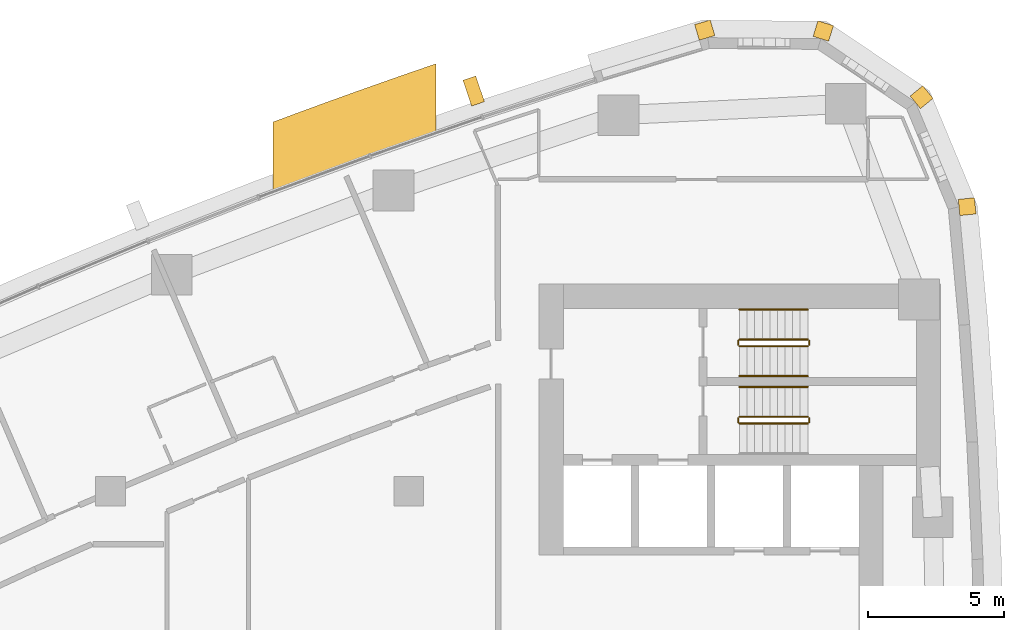
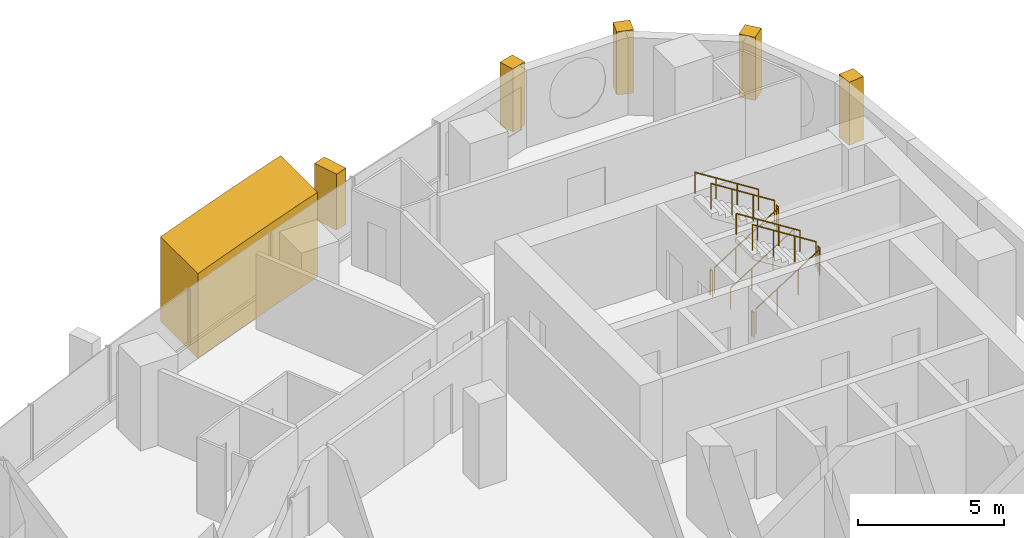
# One storey, part 17 of 17: 11 railings, 6 coverings.
"""IFC4 building model written with IfcOpenShell, lengths in metres."""

from ifc_helpers import new_model, si_unit, direction, frame, frame_2d, origin, origin_2d, place, context, subcontext, project, spatial, polyline, rectangle, circle, outline, extrude, material, layer, layer_set, type_object, element, save


model = new_model("IFC4")

# Units and contexts
model_context = context("Model", 3, precision=1e-05, world=origin(), true_north=direction((0.0, 1.0)))
body_context = subcontext(model_context, "Body", "Model", "MODEL_VIEW")
ifc_project = project(units=[si_unit("LENGTHUNIT", "METRE"), si_unit("AREAUNIT", "SQUARE_METRE"), si_unit("VOLUMEUNIT", "CUBIC_METRE"), si_unit("PLANEANGLEUNIT", "RADIAN"), si_unit("MASSUNIT", "GRAM", prefix="KILO")], contexts=[model_context])

# Site, building, storey
site_placement = place(None, origin())
site = spatial("IfcSite", under=ifc_project, at=site_placement, CompositionType="ELEMENT")
building_placement = place(site_placement, origin())
building = spatial("IfcBuilding", under=site, at=building_placement, Name="Ostrand Prow Hotel Tower", CompositionType="ELEMENT")
storey_placement = place(building_placement, frame((0.0, 0.0, 162.14990234375)))
storey = spatial("IfcBuildingStorey", under=building, at=storey_placement, Name="L40", CompositionType="ELEMENT", Elevation=162.14990234375)

# Coverings
ifc_material_1 = material(Name="Limestone cladding", Category="masonry")
ifc_layer_1 = layer(ifc_material_1, 5.0)
ifc_layer_set_1 = layer_set([ifc_layer_1], Name="Limestone cladding")
covering_type_1 = type_object("IfcCoveringType", Name="Portal jamb pilaster limestone", PredefinedType="CLADDING", material=ifc_layer_set_1)
covering_1_placement = place(storey_placement, origin())
element("IfcCovering", 1, at=covering_1_placement, inside=storey, type_object=covering_type_1, Name="Portal jamb NB L40", PredefinedType="CLADDING", context=body_context, shape_type="SweptSolid", body=[
    extrude(outline(polyline([(40.0, 20.058349609375), (41.0, 20.434326171875), (42.0, 20.804931640625), (43.0, 21.169921875), (44.0, 21.529296875), (45.0, 21.883056640625), (46.0, 22.231689453125), (46.0, 24.769287109375), (45.0, 24.425048828125), (44.0, 24.075439453125), (43.0, 23.720458984375), (42.0, 23.360107421875), (41.0, 22.994140625), (40.0, 22.622802734375), (40.0, 20.058349609375)])), origin(), (0.0, 0.0, 1.0), 3.550048828125),
])
ifc_material_2 = material(Name="Limestone cladding", Category="masonry")
ifc_layer_2 = layer(ifc_material_2, 0.5)
ifc_layer_set_2 = layer_set([ifc_layer_2], Name="Limestone cladding")
covering_type_2 = type_object("IfcCoveringType", Name="Precast stone fin 500x900", PredefinedType="CLADDING", material=ifc_layer_set_2)
covering_2_placement = place(storey_placement, frame((47.5546875, 23.290283203125, 0.900146484375), z_axis=(0.0, 0.0, 1.0), x_axis=(-0.319082696504, 0.947726876685, 0.0)))
element("IfcCovering", 2, at=covering_2_placement, inside=storey, type_object=covering_type_2, Name="Stone fin N 2", PredefinedType="CLADDING", context=body_context, shape_type="SweptSolid", body=[
    extrude(rectangle(XDim=1.0, YDim=0.5, at=frame_2d((0.5, 0.0))), origin(), (0.0, 0.0, 1.0), 2.349853515625),
])
ifc_material_3 = material(Name="Limestone cladding", Category="masonry")
ifc_layer_3 = layer(ifc_material_3, 0.60009765625)
ifc_layer_set_3 = layer_set([ifc_layer_3], Name="Limestone cladding")
covering_type_3 = type_object("IfcCoveringType", Name="Precast stone prow rib 600x600", PredefinedType="CLADDING", material=ifc_layer_set_3)
covering_3_placement = place(storey_placement, frame((65.296875, 19.467529296875, 0.60009765625), z_axis=(0.0, 0.0, 1.0), x_axis=(0.994854249607, 0.101316445052, 0.0)))
element("IfcCovering", 3, at=covering_3_placement, inside=storey, type_object=covering_type_3, Name="Stone corner rib 14a", PredefinedType="CLADDING", context=body_context, shape_type="SweptSolid", body=[
    extrude(rectangle(XDim=0.60009765625, YDim=0.60009765625, at=frame_2d((0.300048828125, 0.0))), origin(), (0.0, 0.0, 1.0), 2.64990234375),
])
for number, where, z_axis, x_axis, name in (
    (4, (63.68505859375, 23.34521484375, 0.60009765625), (0.0, 0.0, 1.0), (0.773830327772, 0.633392945825, 0.0), "Stone corner rib 15a"),
    (5, (60.201171875, 25.689697265625, 0.60009765625), (0.0, 0.0, 1.0), (0.295515682615, 0.955337888565, 0.0), "Stone corner rib 16a"),
):
    element("IfcCovering", number, at=place(storey_placement, frame(where, z_axis=z_axis, x_axis=x_axis)), inside=storey, type_object=covering_type_3, Name=name, PredefinedType="CLADDING", context=body_context, shape_type="SweptSolid", body=[
        extrude(rectangle(XDim=0.599853515625, YDim=0.60009765625, at=frame_2d((0.2998046875, 0.0))), origin(), (0.0, 0.0, 1.0), 2.64990234375),
    ])
covering_4_placement = place(storey_placement, frame((56.001953125, 25.722412109375, 0.60009765625), z_axis=(0.0, 0.0, 1.0), x_axis=(-0.280734221166, 0.959785547436, 0.0)))
element("IfcCovering", 6, at=covering_4_placement, inside=storey, type_object=covering_type_3, Name="Stone corner rib 16b", PredefinedType="CLADDING", context=body_context, shape_type="SweptSolid", body=[
    extrude(rectangle(XDim=0.60009765625, YDim=0.60009765625, at=frame_2d((0.300048828125, 0.0))), origin(), (0.0, 0.0, 1.0), 2.64990234375),
])

# Railings
ifc_material_4 = material(Name="Painted steel", Category="steel")
railing_type_1 = type_object("IfcRailingType", Name="Stair guard 1100", PredefinedType="GUARDRAIL", material=ifc_material_4)
railing_1_placement = place(storey_placement, frame((57.199951171875, 11.5, 0.177490234375)))
element("IfcRailing", 7, at=railing_1_placement, inside=storey, type_object=railing_type_1, Name="L40 ST1C stair guard 1", PredefinedType="GUARDRAIL", context=body_context, shape_type="SweptSolid", body=[
    extrude(circle(Radius=0.02392578125, at=origin_2d()), frame((0.0, 0.0, 1.076171875), z_axis=(0.84456994832, 0.0, 0.535445237532), x_axis=(0.0, 1.0, 0.0)), (0.0, 0.0, 1.0), 2.98388671875),
    extrude(circle(Radius=0.02099609375, at=origin_2d()), origin(), (0.0, 0.0, 1.0), 1.052001953125),
    extrude(circle(Radius=0.02099609375, at=origin_2d()), frame((0.840087890625, 0.0, 0.532470703125)), (0.0, 0.0, 1.0), 1.052001953125),
    extrude(circle(Radius=0.02099609375, at=origin_2d()), frame((1.679931640625, 0.0, 1.065185546875)), (0.0, 0.0, 1.0), 1.052001953125),
    extrude(circle(Radius=0.02099609375, at=origin_2d()), frame((2.52001953125, 0.0, 1.59765625)), (0.0, 0.0, 1.0), 1.052001953125),
])
railing_2_placement = place(storey_placement, frame((59.77001953125, 11.550048828125, 1.775146484375)))
element("IfcRailing", 8, at=railing_2_placement, inside=storey, type_object=railing_type_1, Name="L40 ST1C stair guard 2", PredefinedType="GUARDRAIL", context=body_context, shape_type="SweptSolid", body=[
    extrude(circle(Radius=0.02392578125, at=origin_2d()), frame((0.0, 0.0, 1.076171875), z_axis=(0.0, 1.0, 0.0), x_axis=(-1.0, 0.0, 0.0)), (0.0, 0.0, 1.0), 0.14990234375),
    extrude(circle(Radius=0.02099609375, at=origin_2d()), origin(), (0.0, 0.0, 1.0), 1.052001953125),
    extrude(circle(Radius=0.02099609375, at=origin_2d()), frame((0.0, 0.14990234375, 0.0)), (0.0, 0.0, 1.0), 1.052001953125),
])
railing_3_placement = place(storey_placement, frame((59.719970703125, 11.75, 1.95263671875)))
element("IfcRailing", 9, at=railing_3_placement, inside=storey, type_object=railing_type_1, Name="L40 ST1C stair guard 3", PredefinedType="GUARDRAIL", context=body_context, shape_type="SweptSolid", body=[
    extrude(circle(Radius=0.02392578125, at=origin_2d()), frame((0.0, 0.0, 1.076171875), z_axis=(-0.84460694969, 0.0, 0.535386869969), x_axis=(0.0, -1.0, 0.0)), (0.0, 0.0, 1.0), 2.983642578125),
    extrude(circle(Radius=0.02099609375, at=origin_2d()), origin(), (0.0, 0.0, 1.0), 1.052001953125),
    extrude(circle(Radius=0.02099609375, at=origin_2d()), frame((-0.840087890625, 0.0, 0.532470703125)), (0.0, 0.0, 1.0), 1.052001953125),
    extrude(circle(Radius=0.02099609375, at=origin_2d()), frame((-1.679931640625, 0.0, 1.06494140625)), (0.0, 0.0, 1.0), 1.052001953125),
    extrude(circle(Radius=0.02099609375, at=origin_2d()), frame((-2.52001953125, 0.0, 1.597412109375)), (0.0, 0.0, 1.0), 1.052001953125),
])
railing_4_placement = place(storey_placement, frame((57.14990234375, 11.550048828125, 0.0)))
element("IfcRailing", 10, at=railing_4_placement, inside=storey, type_object=railing_type_1, Name="L40 ST1C stair guard 4", PredefinedType="GUARDRAIL", context=body_context, shape_type="SweptSolid", body=[
    extrude(circle(Radius=0.02392578125, at=origin_2d()), frame((0.0, 0.0, 1.076171875), z_axis=(0.0, 1.0, 0.0), x_axis=(-1.0, 0.0, 0.0)), (0.0, 0.0, 1.0), 0.14990234375),
    extrude(circle(Radius=0.02099609375, at=origin_2d()), origin(), (0.0, 0.0, 1.0), 1.052001953125),
    extrude(circle(Radius=0.02099609375, at=origin_2d()), frame((0.0, 0.14990234375, 0.0)), (0.0, 0.0, 1.0), 1.052001953125),
])
railing_5_placement = place(storey_placement, frame((57.199951171875, 14.35009765625, 0.177490234375)))
element("IfcRailing", 11, at=railing_5_placement, inside=storey, type_object=railing_type_1, Name="L40 ST3C stair guard 1", PredefinedType="GUARDRAIL", context=body_context, shape_type="SweptSolid", body=[
    extrude(circle(Radius=0.02392578125, at=origin_2d()), frame((0.0, 0.0, 1.076171875), z_axis=(0.84456994832, 0.0, 0.535445237532), x_axis=(0.0, 1.0, 0.0)), (0.0, 0.0, 1.0), 2.98388671875),
    extrude(circle(Radius=0.02099609375, at=origin_2d()), origin(), (0.0, 0.0, 1.0), 1.052001953125),
    extrude(circle(Radius=0.02099609375, at=origin_2d()), frame((0.840087890625, 0.0, 0.532470703125)), (0.0, 0.0, 1.0), 1.052001953125),
    extrude(circle(Radius=0.02099609375, at=origin_2d()), frame((1.679931640625, 0.0, 1.065185546875)), (0.0, 0.0, 1.0), 1.052001953125),
    extrude(circle(Radius=0.02099609375, at=origin_2d()), frame((2.52001953125, 0.0, 1.59765625)), (0.0, 0.0, 1.0), 1.052001953125),
])
railing_6_placement = place(storey_placement, frame((59.77001953125, 14.39990234375, 1.775146484375)))
element("IfcRailing", 12, at=railing_6_placement, inside=storey, type_object=railing_type_1, Name="L40 ST3C stair guard 2", PredefinedType="GUARDRAIL", context=body_context, shape_type="SweptSolid", body=[
    extrude(circle(Radius=0.02392578125, at=origin_2d()), frame((0.0, 0.0, 1.076171875), z_axis=(0.0, 1.0, 0.0), x_axis=(-1.0, 0.0, 0.0)), (0.0, 0.0, 1.0), 0.150146484375),
    extrude(circle(Radius=0.02099609375, at=origin_2d()), origin(), (0.0, 0.0, 1.0), 1.052001953125),
    extrude(circle(Radius=0.02099609375, at=origin_2d()), frame((0.0, 0.150146484375, 0.0)), (0.0, 0.0, 1.0), 1.052001953125),
])
railing_7_placement = place(storey_placement, frame((59.719970703125, 14.60009765625, 1.95263671875)))
element("IfcRailing", 13, at=railing_7_placement, inside=storey, type_object=railing_type_1, Name="L40 ST3C stair guard 3", PredefinedType="GUARDRAIL", context=body_context, shape_type="SweptSolid", body=[
    extrude(circle(Radius=0.02392578125, at=origin_2d()), frame((0.0, 0.0, 1.076171875), z_axis=(-0.84460694969, 0.0, 0.535386869969), x_axis=(0.0, -1.0, 0.0)), (0.0, 0.0, 1.0), 2.983642578125),
    extrude(circle(Radius=0.02099609375, at=origin_2d()), origin(), (0.0, 0.0, 1.0), 1.052001953125),
    extrude(circle(Radius=0.02099609375, at=origin_2d()), frame((-0.840087890625, 0.0, 0.532470703125)), (0.0, 0.0, 1.0), 1.052001953125),
    extrude(circle(Radius=0.02099609375, at=origin_2d()), frame((-1.679931640625, 0.0, 1.06494140625)), (0.0, 0.0, 1.0), 1.052001953125),
    extrude(circle(Radius=0.02099609375, at=origin_2d()), frame((-2.52001953125, 0.0, 1.597412109375)), (0.0, 0.0, 1.0), 1.052001953125),
])
railing_8_placement = place(storey_placement, frame((57.14990234375, 14.39990234375, 0.0)))
element("IfcRailing", 14, at=railing_8_placement, inside=storey, type_object=railing_type_1, Name="L40 ST3C stair guard 4", PredefinedType="GUARDRAIL", context=body_context, shape_type="SweptSolid", body=[
    extrude(circle(Radius=0.02392578125, at=origin_2d()), frame((0.0, 0.0, 1.076171875), z_axis=(0.0, 1.0, 0.0), x_axis=(-1.0, 0.0, 0.0)), (0.0, 0.0, 1.0), 0.150146484375),
    extrude(circle(Radius=0.02099609375, at=origin_2d()), origin(), (0.0, 0.0, 1.0), 1.052001953125),
    extrude(circle(Radius=0.02099609375, at=origin_2d()), frame((0.0, 0.150146484375, 0.0)), (0.0, 0.0, 1.0), 1.052001953125),
])
ifc_material_5 = material(Name="Stainless steel", Category="steel")
railing_type_2 = type_object("IfcRailingType", Name="Stair handrail 900", PredefinedType="HANDRAIL", material=ifc_material_5)
railing_9_placement = place(storey_placement, frame((59.719970703125, 12.85009765625, 1.95263671875)))
element("IfcRailing", 15, at=railing_9_placement, inside=storey, type_object=railing_type_2, Name="L40 ST1C stair handrail 2", PredefinedType="HANDRAIL", context=body_context, shape_type="SweptSolid", body=[
    extrude(circle(Radius=0.02392578125, at=origin_2d()), frame((0.0, 0.0, 0.8759765625), z_axis=(-0.84460694969, 0.0, 0.535386869969), x_axis=(0.0, -1.0, 0.0)), (0.0, 0.0, 1.0), 2.983642578125),
    extrude(circle(Radius=0.02099609375, at=origin_2d()), origin(), (0.0, 0.0, 1.0), 0.851806640625),
    extrude(circle(Radius=0.02099609375, at=origin_2d()), frame((-0.840087890625, 0.0, 0.532470703125)), (0.0, 0.0, 1.0), 0.851806640625),
    extrude(circle(Radius=0.02099609375, at=origin_2d()), frame((-1.679931640625, 0.0, 1.06494140625)), (0.0, 0.0, 1.0), 0.851806640625),
    extrude(circle(Radius=0.02099609375, at=origin_2d()), frame((-2.52001953125, 0.0, 1.597412109375)), (0.0, 0.0, 1.0), 0.851806640625),
])
railing_10_placement = place(storey_placement, frame((57.199951171875, 13.25, 0.177490234375)))
element("IfcRailing", 16, at=railing_10_placement, inside=storey, type_object=railing_type_2, Name="L40 ST3C stair handrail 1", PredefinedType="HANDRAIL", context=body_context, shape_type="SweptSolid", body=[
    extrude(circle(Radius=0.02392578125, at=origin_2d()), frame((0.0, 0.0, 0.8759765625), z_axis=(0.84456994832, 0.0, 0.535445237532), x_axis=(0.0, 1.0, 0.0)), (0.0, 0.0, 1.0), 2.98388671875),
    extrude(circle(Radius=0.02099609375, at=origin_2d()), origin(), (0.0, 0.0, 1.0), 0.851806640625),
    extrude(circle(Radius=0.02099609375, at=origin_2d()), frame((0.840087890625, 0.0, 0.532470703125)), (0.0, 0.0, 1.0), 0.851806640625),
    extrude(circle(Radius=0.02099609375, at=origin_2d()), frame((1.679931640625, 0.0, 1.065185546875)), (0.0, 0.0, 1.0), 0.851806640625),
    extrude(circle(Radius=0.02099609375, at=origin_2d()), frame((2.52001953125, 0.0, 1.59765625)), (0.0, 0.0, 1.0), 0.851806640625),
])
railing_11_placement = place(storey_placement, frame((59.719970703125, 15.699951171875, 1.95263671875)))
element("IfcRailing", 17, at=railing_11_placement, inside=storey, type_object=railing_type_2, Name="L40 ST3C stair handrail 2", PredefinedType="HANDRAIL", context=body_context, shape_type="SweptSolid", body=[
    extrude(circle(Radius=0.02392578125, at=origin_2d()), frame((0.0, 0.0, 0.8759765625), z_axis=(-0.84460694969, 0.0, 0.535386869969), x_axis=(0.0, -1.0, 0.0)), (0.0, 0.0, 1.0), 2.983642578125),
    extrude(circle(Radius=0.02099609375, at=origin_2d()), origin(), (0.0, 0.0, 1.0), 0.851806640625),
    extrude(circle(Radius=0.02099609375, at=origin_2d()), frame((-0.840087890625, 0.0, 0.532470703125)), (0.0, 0.0, 1.0), 0.851806640625),
    extrude(circle(Radius=0.02099609375, at=origin_2d()), frame((-1.679931640625, 0.0, 1.06494140625)), (0.0, 0.0, 1.0), 0.851806640625),
    extrude(circle(Radius=0.02099609375, at=origin_2d()), frame((-2.52001953125, 0.0, 1.597412109375)), (0.0, 0.0, 1.0), 0.851806640625),
])

save(model, "model.ifc")
